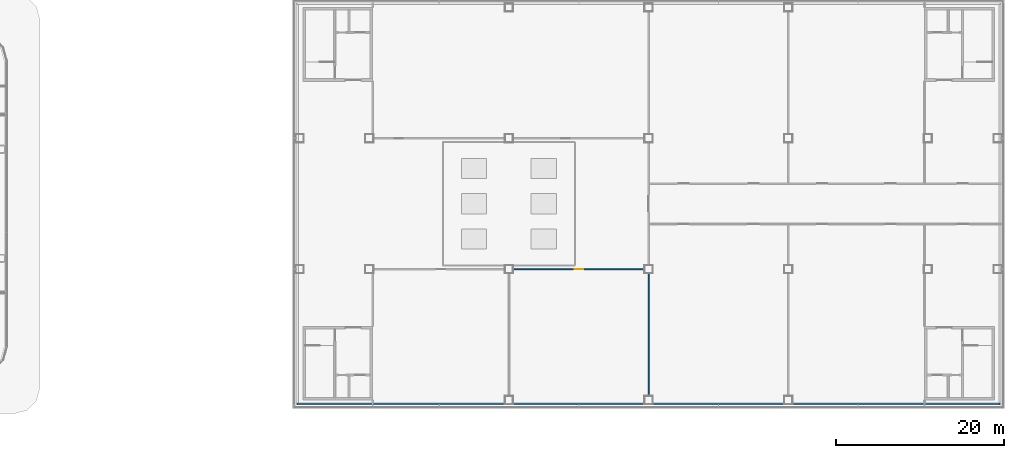
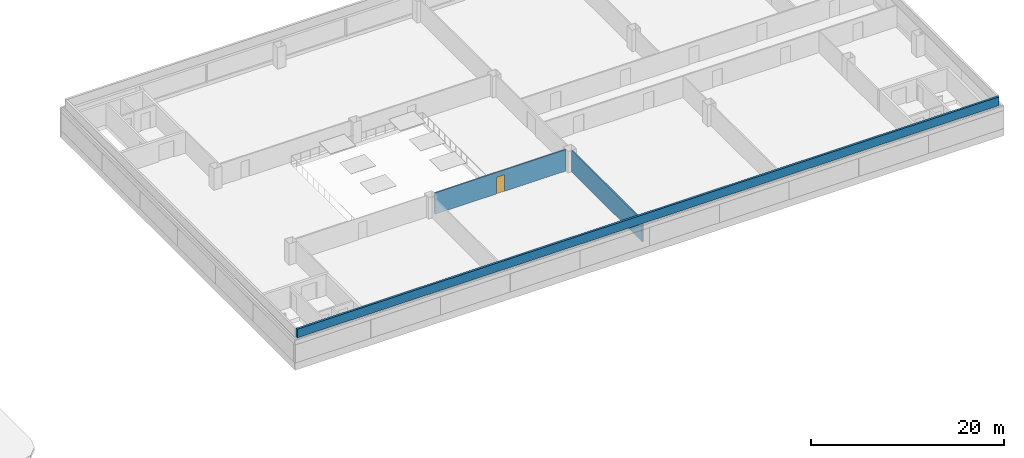
# One storey, part 29 of 42: 3 walls, 1 door, 1 opening.
"""IFC4 building model written with IfcOpenShell, lengths in metres."""

from ifc_helpers import new_model, si_unit, direction, frame, frame_2d, origin, place, context, subcontext, project, spatial, rectangle, extrude, material, layer, layer_set, type_object, element, fill, save


model = new_model("IFC4")

# Units and contexts
model_context = context("Model", 3, precision=1e-05, world=origin(), true_north=direction((0.0, 1.0)))
body_context = subcontext(model_context, "Body", "Model", "MODEL_VIEW")
ifc_project = project(units=[si_unit("LENGTHUNIT", "METRE"), si_unit("AREAUNIT", "SQUARE_METRE"), si_unit("VOLUMEUNIT", "CUBIC_METRE"), si_unit("PLANEANGLEUNIT", "RADIAN"), si_unit("MASSUNIT", "GRAM", prefix="KILO")], contexts=[model_context])

# Site, building, storey
site_placement = place(None, origin())
site = spatial("IfcSite", under=ifc_project, at=site_placement, CompositionType="ELEMENT")
building_placement = place(site_placement, origin())
building = spatial("IfcBuilding", under=site, at=building_placement, Name="Hakoniwa Tower and Hamabe Station Hall", CompositionType="ELEMENT")
storey_placement = place(building_placement, frame((0.0, 0.0, 19.800048828125)))
storey = spatial("IfcBuildingStorey", under=building, at=storey_placement, Name="L04", CompositionType="ELEMENT", Elevation=19.800048828125)

# Wall, opening, door
ifc_material_1 = material(Name="Fire-rated gypsum board partition")
ifc_layer_1 = layer(ifc_material_1, 0.14990234375)
ifc_layer_set_1 = layer_set([ifc_layer_1], Name="FIRE PARTITION 150 EI 60")
wall_type_1 = type_object("IfcWallType", Name="FIRE PARTITION 150 EI 60", PredefinedType="PARTITIONING", material=ifc_layer_set_1)
wall_1_placement = place(storey_placement, frame((111.409912109375, -7.800048828125, 0.0), z_axis=(0.0, 0.0, 1.0), x_axis=(1.0, 0.0, 0.0)))
wall_1 = element("IfcWall", 1, at=wall_1_placement, inside=storey, type_object=wall_type_1, Name="Partition L04 1", PredefinedType="PARTITIONING", context=body_context, shape_type="SweptSolid", body=[
    extrude(rectangle(XDim=15.64013671875, YDim=0.14990234375, at=frame_2d((7.820068359375, 0.0))), origin(), (0.0, 0.0, 1.0), 2.699951171875),
])
opening_placement = place(wall_1_placement, frame((7.320068359375, 0.0, 0.0)))
opening = element("IfcOpeningElement", 2, at=opening_placement, cuts=wall_1, Name="Opening SD-L04-004", PredefinedType="OPENING", context=body_context, shape_type="SweptSolid", body=[
    extrude(rectangle(XDim=1.0, YDim=2.10009765625, at=frame_2d((0.5, 1.050048828125))), frame((0.0, 0.0849609375, 0.0), z_axis=(0.0, -1.0, 0.0), x_axis=(1.0, 0.0, 0.0)), (0.0, 0.0, 1.0), 0.169921875),
])
ifc_material_2 = material(Name="Timber door leaf", Category="wood")
door_type = type_object("IfcDoorType", Name="SINGLE DOOR 1000X2100", OperationType="SINGLE_SWING_LEFT", PredefinedType="DOOR", material=ifc_material_2)
door_placement = place(opening_placement, origin())
door = element("IfcDoor", 3, at=door_placement, inside=storey, type_object=door_type, Name="Door Training Room", OperationType="SINGLE_SWING_RIGHT", OverallHeight=2.10009765625, OverallWidth=1.0, PredefinedType="DOOR", context=body_context, shape_type="SweptSolid", body=[
    extrude(rectangle(XDim=1.0, YDim=2.10009765625, at=frame_2d((0.5, 1.050048828125))), frame((0.0, 0.02490234375, 0.0), z_axis=(0.0, -1.0, 0.0), x_axis=(1.0, 0.0, 0.0)), (0.0, 0.0, 1.0), 0.050048828125),
])
fill(opening, door)

# Walls
wall_2_placement = place(storey_placement, frame((127.550048828125, -22.89990234375, 0.0), z_axis=(0.0, 0.0, 1.0), x_axis=(0.0, 1.0, 0.0)))
element("IfcWall", 4, at=wall_2_placement, inside=storey, type_object=wall_type_1, Name="Partition L04 10", PredefinedType="PARTITIONING", context=body_context, shape_type="SweptSolid", body=[
    extrude(rectangle(XDim=14.599853515625, YDim=0.14990234375, at=frame_2d((7.2998046875, 0.0))), origin(), (0.0, 0.0, 1.0), 2.699951171875),
])
ifc_material_3 = material(Name="Concrete C30", Category="concrete")
ifc_layer_2 = layer(ifc_material_3, 0.25)
ifc_layer_set_2 = layer_set([ifc_layer_2], Name="PARAPET WALL 250")
wall_type_2 = type_object("IfcWallType", Name="PARAPET WALL 250", PredefinedType="PARAPET", material=ifc_layer_set_2)
wall_3_placement = place(storey_placement, frame((85.675048828125, -23.875, 3.199951171875), z_axis=(0.0, 0.0, 1.0), x_axis=(1.0, 0.0, 0.0)))
element("IfcWall", 5, at=wall_3_placement, inside=storey, type_object=wall_type_2, Name="Station roof parapet", PredefinedType="PARAPET", context=body_context, shape_type="SweptSolid", body=[
    extrude(rectangle(XDim=83.75, YDim=0.25, at=frame_2d((41.875, 0.0))), origin(), (0.0, 0.0, 1.0), 1.10009765625),
])

save(model, "model.ifc")
